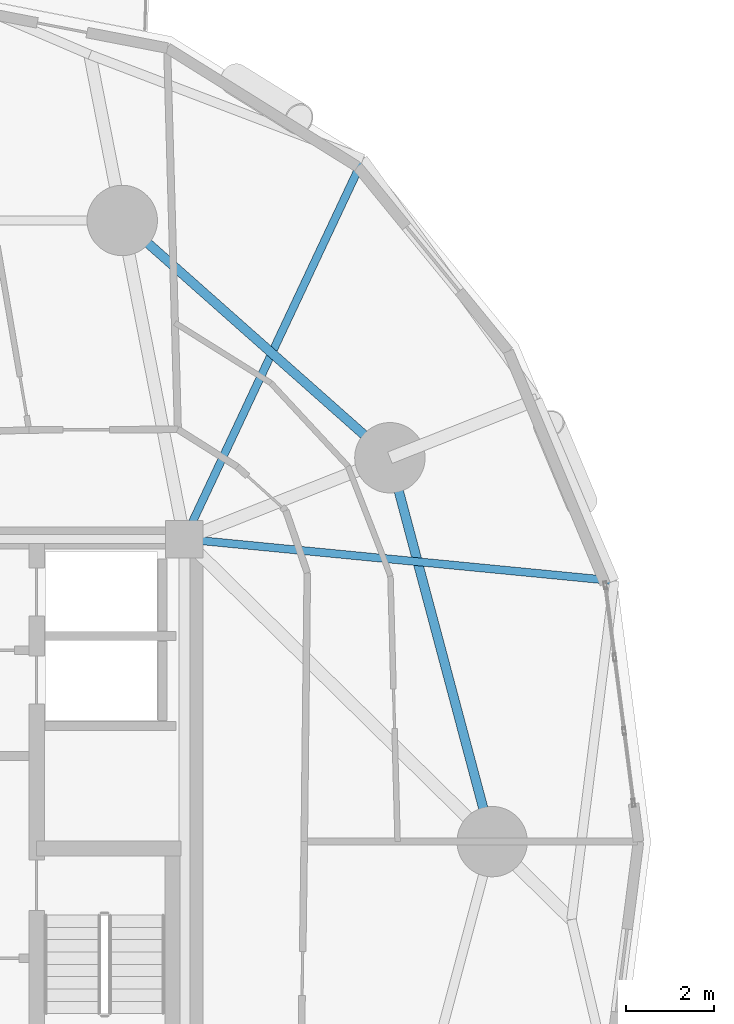
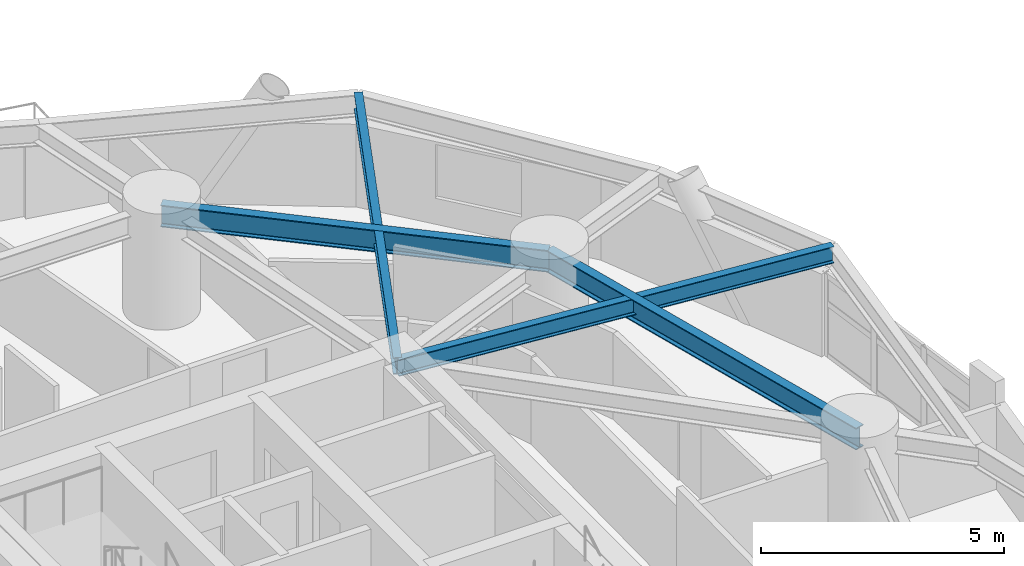
# One storey, part 3 of 19: 4 beams.
"""IFC4 building model written with IfcOpenShell, lengths in metres."""

from ifc_helpers import new_model, si_unit, direction, frame, origin, origin_2d, place, context, subcontext, project, spatial, i_section, extrude, material, material_profile, profile_set, type_object, element, save


model = new_model("IFC4")

# Units and contexts
model_context = context("Model", 3, precision=1e-05, world=origin(), true_north=direction((0.0, 1.0)))
body_context = subcontext(model_context, "Body", "Model", "MODEL_VIEW")
ifc_project = project(units=[si_unit("LENGTHUNIT", "METRE"), si_unit("AREAUNIT", "SQUARE_METRE"), si_unit("VOLUMEUNIT", "CUBIC_METRE"), si_unit("PLANEANGLEUNIT", "RADIAN"), si_unit("MASSUNIT", "GRAM", prefix="KILO")], contexts=[model_context])

# Site, building, storey
site_placement = place(None, origin())
site = spatial("IfcSite", under=ifc_project, at=site_placement, CompositionType="ELEMENT")
building_placement = place(site_placement, origin())
building = spatial("IfcBuilding", under=site, at=building_placement, Name="Cununo Teusaquillo Station Towers", CompositionType="ELEMENT")
storey_placement = place(building_placement, frame((0.0, 0.0, 42.3701171875)))
storey = spatial("IfcBuildingStorey", under=building, at=storey_placement, Name="L12", CompositionType="ELEMENT", Elevation=42.3701171875)

# Beams
ifc_material_1 = material(Name="Steel ASTM A572 Grade 50", Category="steel")
ifc_material_profile_1 = material_profile(ifc_material_1, i_section(OverallWidth=0.180908203125, OverallDepth=0.4169921875, WebThickness=0.010986328125, FlangeThickness=0.018310546875, FilletRadius=0.012939453125, at=origin_2d()), Name="W16X57")
ifc_profile_set_1 = profile_set([ifc_material_profile_1], Name="Steel ASTM A572 Grade 50")
beam_type_1 = type_object("IfcBeamType", Name="BM-JOIST-1", PredefinedType="JOIST", material=ifc_profile_set_1)
beam_1_placement = place(storey_placement, frame((21.675048828125, 31.3798828125, 2.44140625), z_axis=(0.995310719276, -0.096729375545, 0.0), x_axis=(0.096729375545, 0.995310719276, 0.0)))
element("IfcBeam", 1, at=beam_1_placement, inside=storey, type_object=beam_type_1, Name="L12 Tower A Radial Spandrel Joist V01", PredefinedType="JOIST", context=body_context, shape_type="SweptSolid", body=[
    extrude(i_section(OverallWidth=0.180908203125, OverallDepth=0.4169921875, WebThickness=0.010986328125, FlangeThickness=0.018310546875, FilletRadius=0.012939453125, at=origin_2d()), origin(), (0.0, 0.0, 1.0), 9.82080078125),
])
beam_2_placement = place(storey_placement, frame((21.675048828125, 31.3798828125, 2.44140625), z_axis=(0.425472080871, 0.904971551155, 0.0), x_axis=(-0.904971551155, 0.425472080871, 0.0)))
element("IfcBeam", 2, at=beam_2_placement, inside=storey, type_object=beam_type_1, Name="L12 Tower A Radial Spandrel Joist V03", PredefinedType="JOIST", context=body_context, shape_type="SweptSolid", body=[
    extrude(i_section(OverallWidth=0.180908203125, OverallDepth=0.4169921875, WebThickness=0.010986328125, FlangeThickness=0.018310546875, FilletRadius=0.012939453125, at=origin_2d()), origin(), (0.0, 0.0, 1.0), 9.552734375),
])
ifc_material_2 = material(Name="Steel ASTM A572 Grade 50", Category="steel")
ifc_material_profile_2 = material_profile(ifc_material_2, i_section(OverallWidth=0.214111328125, OverallDepth=0.549072265625, WebThickness=0.0146484375, FlangeThickness=0.023681640625, FilletRadius=0.014892578125, at=origin_2d()), Name="W21X93")
ifc_profile_set_2 = profile_set([ifc_material_profile_2], Name="Steel ASTM A572 Grade 50")
beam_type_2 = type_object("IfcBeamType", Name="BM-RING-Z1", PredefinedType="SPANDREL", material=ifc_profile_set_2)
beam_3_placement = place(storey_placement, frame((28.672119140625, 24.5, 2.37548828125), z_axis=(-0.257363196347, 0.966314744359, 0.0), x_axis=(-0.966314744359, -0.257363196347, 0.0)))
element("IfcBeam", 3, at=beam_3_placement, inside=storey, type_object=beam_type_2, Name="L12 Tower A Structural Column Ring Girder 01", PredefinedType="SPANDREL", context=body_context, shape_type="SweptSolid", body=[
    extrude(i_section(OverallWidth=0.214111328125, OverallDepth=0.549072265625, WebThickness=0.0146484375, FlangeThickness=0.023681640625, FilletRadius=0.014892578125, at=origin_2d()), origin(), (0.0, 0.0, 1.0), 9.03271484375),
])
beam_4_placement = place(storey_placement, frame((26.347412109375, 33.228515625, 2.37548828125), z_axis=(-0.74832120039, 0.66333655187, 0.0), x_axis=(-0.66333655187, -0.74832120039, 0.0)))
element("IfcBeam", 4, at=beam_4_placement, inside=storey, type_object=beam_type_2, Name="L12 Tower A Structural Column Ring Girder 02", PredefinedType="SPANDREL", context=body_context, shape_type="SweptSolid", body=[
    extrude(i_section(OverallWidth=0.214111328125, OverallDepth=0.549072265625, WebThickness=0.0146484375, FlangeThickness=0.023681640625, FilletRadius=0.014892578125, at=origin_2d()), origin(), (0.0, 0.0, 1.0), 8.1328125),
])

save(model, "model.ifc")
